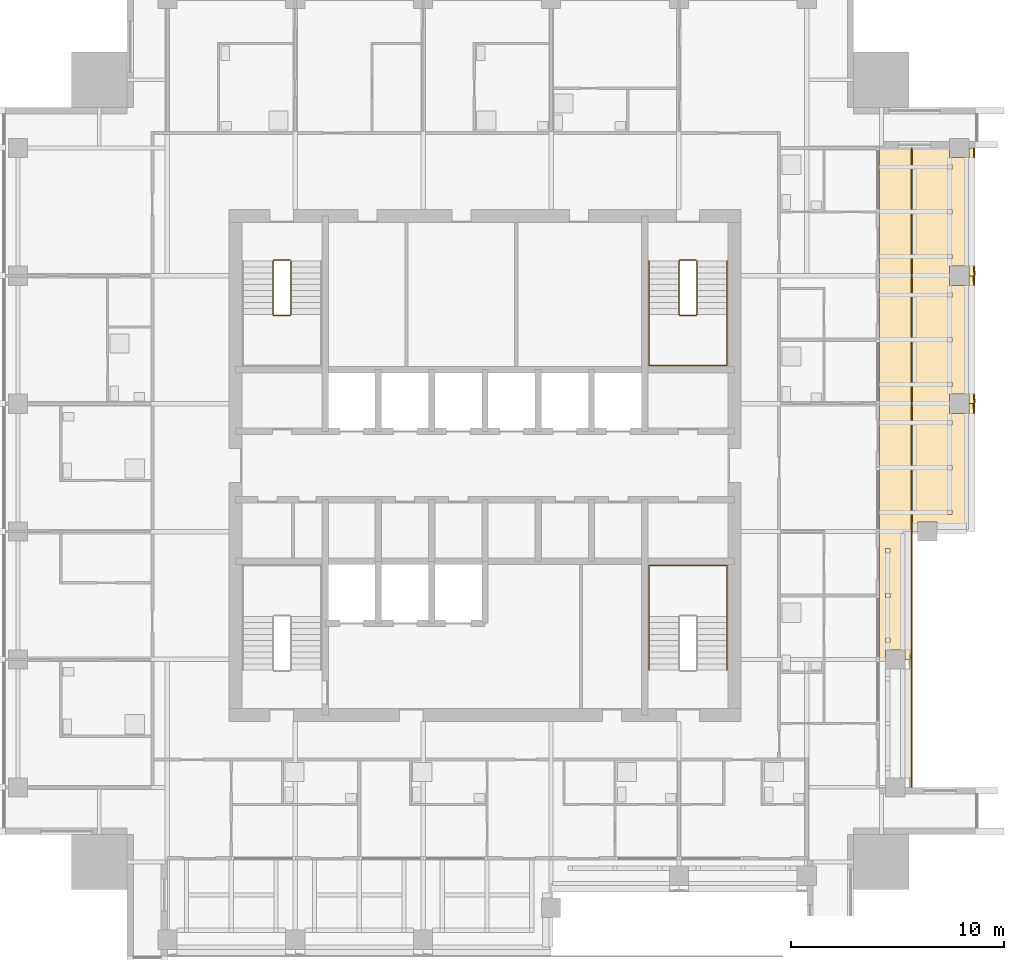
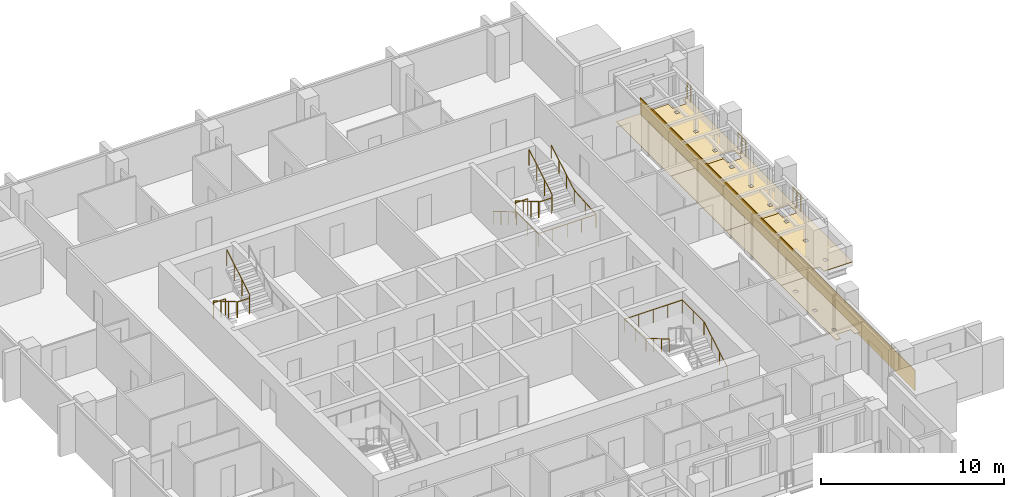
# One storey, part 16 of 17: 9 railings, 5 coverings.
"""IFC4 building model written with IfcOpenShell, lengths in metres."""

import ifcopenshell
import ifcopenshell.guid

model = None  # the IFC model being written
_history = None  # IfcOwnerHistory: only IFC2X3 demands one
_inside = {}  # id of a spatial element -> (the spatial element, [elements in it])
_under = {}  # id of a project, library or spatial element -> (it, [spatial elements below it])
_declared = {}  # id of a project -> (the project, [libraries it declares])
_typed = {}  # id of a type object -> (the type object, [elements of that type])
_made_of = {}  # id of a material, layer set ... -> (it, [elements and type objects made of it])


def new_model(schema):
    """Start an empty IFC model of exactly this schema.

    Asked for "IFC4X3", IfcOpenShell would pick the latest addendum, in which some entities
    have other attributes; the version numbers below select the first issue.
    IFC2X3 requires an IfcOwnerHistory on every rooted entity: one is made here for all.
    """
    global model, _history
    if schema == "IFC4X3":
        model = ifcopenshell.file(schema_version=(4, 3, 0, 0))
    else:
        model = ifcopenshell.file(schema=schema)
    _inside.clear()
    _under.clear()
    _declared.clear()
    _typed.clear()
    _made_of.clear()
    _history = None
    if model.schema == "IFC2X3":
        org = make("IfcOrganization", Name="unknown")
        user = make(
            "IfcPersonAndOrganization",
            ThePerson=make("IfcPerson", FamilyName="unknown"),
            TheOrganization=org,
        )
        app = make(
            "IfcApplication",
            ApplicationDeveloper=org,
            Version="unknown",
            ApplicationFullName="unknown",
            ApplicationIdentifier="unknown",
        )
        _history = make(
            "IfcOwnerHistory",
            OwningUser=user,
            OwningApplication=app,
            ChangeAction="ADDED",
            CreationDate=0,
        )
    return model


def make(cls, **values):
    """One entity of the class cls with the attributes given. An attribute that is None is left unset."""
    return model.create_entity(
        cls, **{name: value for name, value in values.items() if value is not None}
    )


def rooted(cls, **values):
    """An entity with a GlobalId (a new one), such as an element, a storey or a relation."""
    return make(cls, GlobalId=ifcopenshell.guid.new(), OwnerHistory=_history, **values)


def si_unit(unit_type, name, prefix=None):
    """IfcSIUnit, for example si_unit("LENGTHUNIT", "METRE", prefix="MILLI")."""
    return make("IfcSIUnit", UnitType=unit_type, Prefix=prefix, Name=name)


def assignment(units):
    """IfcUnitAssignment: the units of a project."""
    return None if units is None else make("IfcUnitAssignment", Units=units)


def point(xyz):
    """IfcCartesianPoint."""
    return None if xyz is None else make("IfcCartesianPoint", Coordinates=xyz)


def direction(xyz):
    """IfcDirection."""
    return None if xyz is None else make("IfcDirection", DirectionRatios=xyz)


def frame(location, z_axis=None, x_axis=None):
    """IfcAxis2Placement3D, a coordinate frame: its origin and axes. An axis left out is left unset."""
    return make(
        "IfcAxis2Placement3D",
        Location=point(location),
        Axis=direction(z_axis),
        RefDirection=direction(x_axis),
    )


def frame_2d(location, x_axis=None):
    """IfcAxis2Placement2D, a coordinate frame in the plane: its origin and x axis."""
    return make(
        "IfcAxis2Placement2D", Location=point(location), RefDirection=direction(x_axis)
    )


def origin():
    """The frame at (0, 0, 0) with its axes left unset."""
    return frame((0.0, 0.0, 0.0))


def origin_2d():
    """The frame at (0, 0) in the plane with its x axis left unset."""
    return frame_2d((0.0, 0.0))


def place(relative_to, where):
    """IfcLocalPlacement: puts the frame where relative to a parent placement (None: the world)."""
    return make(
        "IfcLocalPlacement", PlacementRelTo=relative_to, RelativePlacement=where
    )


def context(
    kind, dimensions, precision=None, world=None, true_north=None, identifier=None
):
    """IfcGeometricRepresentationContext, for example the 3D "Model" context."""
    return make(
        "IfcGeometricRepresentationContext",
        ContextIdentifier=identifier,
        ContextType=kind,
        CoordinateSpaceDimension=dimensions,
        Precision=precision,
        WorldCoordinateSystem=world,
        TrueNorth=true_north,
    )


def subcontext(parent, identifier, kind, view, scale=None):
    """IfcGeometricRepresentationSubContext, for example "Body" below "Model"."""
    return make(
        "IfcGeometricRepresentationSubContext",
        ContextIdentifier=identifier,
        ContextType=kind,
        ParentContext=parent,
        TargetScale=scale,
        TargetView=view,
    )


def project(units=None, contexts=None):
    """IfcProject with its units and contexts."""
    return rooted(
        "IfcProject",
        Name="project",
        RepresentationContexts=contexts,
        UnitsInContext=assignment(units),
    )


def spatial(cls, under=None, at=None, **own):
    """A site, building, storey or space (cls), placed at a placement, below another one or the project."""
    s = rooted(cls, ObjectPlacement=at, **own)
    if under is not None:
        _under.setdefault(under.id(), (under, []))[1].append(s)
    return s


def polyline(points):
    """IfcPolyline through the points."""
    return make("IfcPolyline", Points=[point(p) for p in points])


def profile(cls, at=None, kind="AREA", **sizes):
    """A parametric profile (cls). Its sizes go by their IFC names, for example OverallWidth=200.0."""
    return make(cls, ProfileType=kind, Position=at, **sizes)


def circle(**sizes):
    """IfcCircleProfileDef."""
    return profile("IfcCircleProfileDef", **sizes)


def outline(outer, holes=None, kind="AREA"):
    """IfcArbitraryClosedProfileDef: a profile drawn as a closed curve; with holes, ...WithVoids."""
    if holes is None:
        return make("IfcArbitraryClosedProfileDef", ProfileType=kind, OuterCurve=outer)
    return make(
        "IfcArbitraryProfileDefWithVoids",
        ProfileType=kind,
        OuterCurve=outer,
        InnerCurves=holes,
    )


def extrude(swept, where, along, depth):
    """IfcExtrudedAreaSolid: the profile swept, set in the frame where, extruded along a direction by depth."""
    return make(
        "IfcExtrudedAreaSolid",
        SweptArea=swept,
        Position=where,
        ExtrudedDirection=direction(along),
        Depth=depth,
    )


def shape(context_of_items, identifier, shape_type, items):
    """IfcShapeRepresentation: the items that make up one representation, for example the "Body"."""
    return make(
        "IfcShapeRepresentation",
        ContextOfItems=context_of_items,
        RepresentationIdentifier=identifier,
        RepresentationType=shape_type,
        Items=items,
    )


def material(Name=None, Category=None):
    """IfcMaterial."""
    return make("IfcMaterial", Name=Name, Category=Category)


def layer(
    of_material, thickness, ventilated=None, Name=None, Category=None, Priority=None
):
    """IfcMaterialLayer: one layer of a wall or slab, of a material (None: an air gap)."""
    return make(
        "IfcMaterialLayer",
        Material=of_material,
        LayerThickness=thickness,
        IsVentilated=ventilated,
        Name=Name,
        Category=Category,
        Priority=Priority,
    )


def layer_set(layers, Name=None):
    """IfcMaterialLayerSet."""
    return make("IfcMaterialLayerSet", MaterialLayers=layers, LayerSetName=Name)


def made_of(thing, what):
    """Note that an element or type object is made of a material, layer set ...; save() writes the relation."""
    if what is not None:
        _made_of.setdefault(what.id(), (what, []))[1].append(thing)
    return thing


def type_object(cls, material=None, **own):
    """A type object (cls), such as IfcWallType, which elements share."""
    return made_of(rooted(cls, **own), material)


def element(
    cls,
    number,
    at=None,
    inside=None,
    cuts=None,
    type_object=None,
    material=None,
    context=None,
    identifier="Body",
    shape_type=None,
    held_by="IfcProductDefinitionShape",
    body=None,
    shapes=None,
    **own,
):
    """One element of the class cls, such as IfcWall. Its Tag is "e" and its number.

    at: its placement. inside: the storey or other place that contains it. cuts: it is an
    opening in that element (IfcRelVoidsElement). A single representation is given by context,
    identifier, shape_type and body (its items); several are given by shapes. held_by: the class
    of the entity that holds the representations. save() writes the other relations.
    """
    e = rooted(cls, Tag="e%d" % number, ObjectPlacement=at, **own)
    if body is not None:
        shapes = [shape(context, identifier, shape_type, body)]
    if shapes is not None:
        e.Representation = make(held_by, Representations=shapes)
    if inside is not None:
        _inside.setdefault(inside.id(), (inside, []))[1].append(e)
    if cuts is not None:
        rooted(
            "IfcRelVoidsElement", RelatingBuildingElement=cuts, RelatedOpeningElement=e
        )
    if type_object is not None:
        _typed.setdefault(type_object.id(), (type_object, []))[1].append(e)
    return made_of(e, material)


def aggregate(whole, parts):
    """IfcRelAggregates: a whole, such as a stair, and the parts it consists of."""
    return rooted("IfcRelAggregates", RelatingObject=whole, RelatedObjects=parts)


def save(model, path):
    """Write the relations noted so far, then the file.

    IfcRelAggregates (storeys below a building ...), IfcRelContainedInSpatialStructure (elements
    in a storey), IfcRelDefinesByType, IfcRelAssociatesMaterial and IfcRelDeclares: one each for
    every whole, place, type object, material and project.
    """
    for whole, parts in _under.values():
        aggregate(whole, parts)
    for where, things in _inside.values():
        rooted(
            "IfcRelContainedInSpatialStructure",
            RelatedElements=things,
            RelatingStructure=where,
        )
    for kind, things in _typed.values():
        rooted("IfcRelDefinesByType", RelatedObjects=things, RelatingType=kind)
    for what, things in _made_of.values():
        rooted("IfcRelAssociatesMaterial", RelatedObjects=things, RelatingMaterial=what)
    for by, libraries in _declared.values():
        rooted("IfcRelDeclares", RelatingContext=by, RelatedDefinitions=libraries)
    model.write(path)


model = new_model("IFC4")

# Units and contexts
model_context = context("Model", 3, precision=1e-05, world=origin(), true_north=direction((0.0, 1.0)))
body_context = subcontext(model_context, "Body", "Model", "MODEL_VIEW")
ifc_project = project(units=[si_unit("LENGTHUNIT", "METRE"), si_unit("AREAUNIT", "SQUARE_METRE"), si_unit("VOLUMEUNIT", "CUBIC_METRE"), si_unit("PLANEANGLEUNIT", "RADIAN"), si_unit("MASSUNIT", "GRAM", prefix="KILO")], contexts=[model_context])

# Site, building, storey
site_placement = place(None, origin())
site = spatial("IfcSite", under=ifc_project, at=site_placement, CompositionType="ELEMENT")
building_placement = place(site_placement, origin())
building = spatial("IfcBuilding", under=site, at=building_placement, Name="Amberfall Residences", CompositionType="ELEMENT")
storey_placement = place(building_placement, frame((0.0, 0.0, 216.699951171875)))
storey = spatial("IfcBuildingStorey", under=building, at=storey_placement, Name="L58", CompositionType="ELEMENT", Elevation=216.699951171875)

# Coverings
ifc_material_1 = material(Name="Pale limestone cladding", Category="masonry")
ifc_layer_1 = layer(ifc_material_1, 0.050048828125)
ifc_layer_set_1 = layer_set([ifc_layer_1], Name="Limestone fascia 50")
covering_type_1 = type_object("IfcCoveringType", Name="Limestone fascia 50", PredefinedType="CLADDING", material=ifc_layer_set_1)
covering_1_placement = place(storey_placement, frame((0.0, 0.0, -0.25)))
element("IfcCovering", 1, at=covering_1_placement, inside=storey, type_object=covering_type_1, Name="Limestone terrace fascia L58 E1", PredefinedType="CLADDING", context=body_context, shape_type="SweptSolid", body=[
    extrude(outline(polyline([(94.5, 30.39990234375), (94.5, 60.39990234375), (94.550048828125, 60.39990234375), (94.550048828125, 30.39990234375), (94.5, 30.39990234375)])), origin(), (0.0, 0.0, 1.0), 1.35009765625),
])
ifc_material_2 = material(Name="Pale stone paving", Category="masonry")
ifc_layer_2 = layer(ifc_material_2, 0.030029296875)
ifc_layer_set_2 = layer_set([ifc_layer_2], Name="Pale stone paving 30")
covering_type_2 = type_object("IfcCoveringType", Name="Pale stone paving 30", PredefinedType="FLOORING", material=ifc_layer_set_2)
covering_2_placement = place(storey_placement, origin())
element("IfcCovering", 2, at=covering_2_placement, inside=storey, type_object=covering_type_2, Name="Pale stone paving L58 E2", PredefinedType="FLOORING", context=body_context, shape_type="SweptSolid", body=[
    extrude(outline(polyline([(93.0, 42.39990234375), (93.0, 36.39990234375), (93.300048828125, 36.39990234375), (93.300048828125, 36.85009765625), (94.199951171875, 36.85009765625), (94.199951171875, 36.39990234375), (94.5, 36.39990234375), (94.5, 42.39990234375), (93.0, 42.39990234375)]), holes=[polyline([(93.2900390625, 37.18994140625), (93.510009765625, 37.18994140625), (93.510009765625, 37.409912109375), (93.2900390625, 37.409912109375), (93.2900390625, 37.18994140625)]), polyline([(93.2900390625, 39.2900390625), (93.510009765625, 39.2900390625), (93.510009765625, 39.510009765625), (93.2900390625, 39.510009765625), (93.2900390625, 39.2900390625)]), polyline([(93.2900390625, 41.389892578125), (93.510009765625, 41.389892578125), (93.510009765625, 41.610107421875), (93.2900390625, 41.610107421875), (93.2900390625, 41.389892578125)])]), origin(), (0.0, 0.0, 1.0), 0.030029296875),
])
covering_3_placement = place(storey_placement, origin())
element("IfcCovering", 3, at=covering_3_placement, inside=storey, type_object=covering_type_2, Name="Pale stone paving L58 E3", PredefinedType="FLOORING", context=body_context, shape_type="SweptSolid", body=[
    extrude(outline(polyline([(97.5, 48.39990234375), (97.199951171875, 48.39990234375), (97.199951171875, 47.949951171875), (96.300048828125, 47.949951171875), (96.300048828125, 48.39990234375), (93.0, 48.39990234375), (93.0, 42.39990234375), (94.800048828125, 42.39990234375), (94.800048828125, 42.85009765625), (95.699951171875, 42.85009765625), (95.699951171875, 42.39990234375), (97.5, 42.39990234375), (97.5, 48.39990234375)]), holes=[polyline([(96.18994140625, 43.18994140625), (96.409912109375, 43.18994140625), (96.409912109375, 43.409912109375), (96.18994140625, 43.409912109375), (96.18994140625, 43.18994140625)]), polyline([(96.18994140625, 45.2900390625), (96.409912109375, 45.2900390625), (96.409912109375, 45.510009765625), (96.18994140625, 45.510009765625), (96.18994140625, 45.2900390625)]), polyline([(96.18994140625, 47.389892578125), (96.409912109375, 47.389892578125), (96.409912109375, 47.610107421875), (96.18994140625, 47.610107421875), (96.18994140625, 47.389892578125)])]), origin(), (0.0, 0.0, 1.0), 0.030029296875),
])
covering_4_placement = place(storey_placement, origin())
element("IfcCovering", 4, at=covering_4_placement, inside=storey, type_object=covering_type_2, Name="Pale stone paving L58 E4", PredefinedType="FLOORING", context=body_context, shape_type="SweptSolid", body=[
    extrude(outline(polyline([(97.5, 54.39990234375), (97.199951171875, 54.39990234375), (97.199951171875, 53.949951171875), (96.300048828125, 53.949951171875), (96.300048828125, 54.39990234375), (93.0, 54.39990234375), (93.0, 48.39990234375), (96.300048828125, 48.39990234375), (96.300048828125, 48.85009765625), (97.199951171875, 48.85009765625), (97.199951171875, 48.39990234375), (97.5, 48.39990234375), (97.5, 54.39990234375)]), holes=[polyline([(96.18994140625, 49.18994140625), (96.409912109375, 49.18994140625), (96.409912109375, 49.409912109375), (96.18994140625, 49.409912109375), (96.18994140625, 49.18994140625)]), polyline([(96.18994140625, 51.2900390625), (96.409912109375, 51.2900390625), (96.409912109375, 51.510009765625), (96.18994140625, 51.510009765625), (96.18994140625, 51.2900390625)]), polyline([(96.18994140625, 53.389892578125), (96.409912109375, 53.389892578125), (96.409912109375, 53.610107421875), (96.18994140625, 53.610107421875), (96.18994140625, 53.389892578125)])]), origin(), (0.0, 0.0, 1.0), 0.030029296875),
])
covering_5_placement = place(storey_placement, origin())
element("IfcCovering", 5, at=covering_5_placement, inside=storey, type_object=covering_type_2, Name="Pale stone paving L58 E5", PredefinedType="FLOORING", context=body_context, shape_type="SweptSolid", body=[
    extrude(outline(polyline([(97.5, 60.39990234375), (97.199951171875, 60.39990234375), (97.199951171875, 59.949951171875), (96.300048828125, 59.949951171875), (96.300048828125, 60.39990234375), (93.0, 60.39990234375), (93.0, 54.39990234375), (96.300048828125, 54.39990234375), (96.300048828125, 54.85009765625), (97.199951171875, 54.85009765625), (97.199951171875, 54.39990234375), (97.5, 54.39990234375), (97.5, 60.39990234375)]), holes=[polyline([(96.18994140625, 55.18994140625), (96.409912109375, 55.18994140625), (96.409912109375, 55.409912109375), (96.18994140625, 55.409912109375), (96.18994140625, 55.18994140625)]), polyline([(96.18994140625, 57.2900390625), (96.409912109375, 57.2900390625), (96.409912109375, 57.510009765625), (96.18994140625, 57.510009765625), (96.18994140625, 57.2900390625)]), polyline([(96.18994140625, 59.389892578125), (96.409912109375, 59.389892578125), (96.409912109375, 59.610107421875), (96.18994140625, 59.610107421875), (96.18994140625, 59.389892578125)])]), origin(), (0.0, 0.0, 1.0), 0.030029296875),
])

# Railings
ifc_material_3 = material(Name="Stainless steel 316", Category="steel")
railing_type_1 = type_object("IfcRailingType", Name="Stair guard 1100", PredefinedType="GUARDRAIL", material=ifc_material_3)
railing_1_placement = place(storey_placement, frame((84.39990234375, 55.14990234375, 0.0)))
element("IfcRailing", 6, at=railing_1_placement, inside=storey, type_object=railing_type_1, Name="L58 stair 3 guard", PredefinedType="GUARDRAIL", context=body_context, shape_type="SweptSolid", body=[
    extrude(circle(Radius=0.02392578125, at=origin_2d()), frame((0.0, 0.0, 1.076171875), z_axis=(-1.0, 0.0, 0.0), x_axis=(0.0, -1.0, 0.0)), (0.0, 0.0, 1.0), 0.75),
    extrude(circle(Radius=0.02392578125, at=origin_2d()), frame((-0.75, 0.0, 1.076171875), z_axis=(-0.27755538755, -0.27755538755, 0.919742362667), x_axis=(0.707106781187, -0.707106781187, 0.0)), (0.0, 0.0, 1.0), 0.179443359375),
    extrude(circle(Radius=0.02392578125, at=origin_2d()), frame((-0.7998046875, -0.0498046875, 1.2412109375), z_axis=(0.0, -0.86152411907, 0.507716645641), x_axis=(1.0, 0.0, 0.0)), (0.0, 0.0, 1.0), 2.925048828125),
    extrude(circle(Radius=0.02392578125, at=origin_2d()), frame((-0.7998046875, -2.56982421875, 2.72607421875), z_axis=(0.705375805398, -0.708833529934, 0.0), x_axis=(0.708833529934, 0.705375805398, 0.0)), (0.0, 0.0, 1.0), 0.070556640625),
    extrude(circle(Radius=0.02392578125, at=origin_2d()), frame((-0.75, -2.619873046875, 2.72607421875), z_axis=(1.0, 0.0, 0.0), x_axis=(0.0, 1.0, 0.0)), (0.0, 0.0, 1.0), 0.75),
    extrude(circle(Radius=0.02392578125, at=origin_2d()), frame((0.0, -2.619873046875, 2.72607421875), z_axis=(0.279053652268, 0.279053652268, 0.918835196492), x_axis=(-0.707106781187, 0.707106781187, 0.0)), (0.0, 0.0, 1.0), 0.179443359375),
    extrude(circle(Radius=0.02392578125, at=origin_2d()), frame((0.050048828125, -2.56982421875, 2.89111328125), z_axis=(0.0, 0.86152411907, 0.507716645641), x_axis=(-1.0, 0.0, 0.0)), (0.0, 0.0, 1.0), 2.925048828125),
    extrude(circle(Radius=0.02099609375, at=origin_2d()), origin(), (0.0, 0.0, 1.0), 1.052001953125),
    extrude(circle(Radius=0.02099609375, at=origin_2d()), frame((-0.75, 0.0, 0.0)), (0.0, 0.0, 1.0), 1.052001953125),
    extrude(circle(Radius=0.02099609375, at=origin_2d()), frame((-0.7998046875, -0.0498046875, 0.1650390625)), (0.0, 0.0, 1.0), 1.052001953125),
    extrude(circle(Radius=0.02099609375, at=origin_2d()), frame((-0.7998046875, -0.889892578125, 0.66015625)), (0.0, 0.0, 1.0), 1.052001953125),
    extrude(circle(Radius=0.02099609375, at=origin_2d()), frame((-0.7998046875, -1.729736328125, 1.155029296875)), (0.0, 0.0, 1.0), 1.052001953125),
    extrude(circle(Radius=0.02099609375, at=origin_2d()), frame((-0.7998046875, -2.56982421875, 1.650146484375)), (0.0, 0.0, 1.0), 1.052001953125),
    extrude(circle(Radius=0.02099609375, at=origin_2d()), frame((-0.75, -2.619873046875, 1.650146484375)), (0.0, 0.0, 1.0), 1.052001953125),
    extrude(circle(Radius=0.02099609375, at=origin_2d()), frame((0.0, -2.619873046875, 1.650146484375)), (0.0, 0.0, 1.0), 1.052001953125),
    extrude(circle(Radius=0.02099609375, at=origin_2d()), frame((0.050048828125, -2.56982421875, 1.81494140625)), (0.0, 0.0, 1.0), 1.052001953125),
    extrude(circle(Radius=0.02099609375, at=origin_2d()), frame((0.050048828125, -1.729736328125, 2.31005859375)), (0.0, 0.0, 1.0), 1.052001953125),
    extrude(circle(Radius=0.02099609375, at=origin_2d()), frame((0.050048828125, -0.889892578125, 2.804931640625)), (0.0, 0.0, 1.0), 1.052001953125),
    extrude(circle(Radius=0.02099609375, at=origin_2d()), frame((0.050048828125, -0.0498046875, 3.300048828125)), (0.0, 0.0, 1.0), 1.052001953125),
])
railing_2_placement = place(storey_placement, frame((65.35009765625, 55.14990234375, 0.0)))
element("IfcRailing", 7, at=railing_2_placement, inside=storey, type_object=railing_type_1, Name="L58 stair 4 guard", PredefinedType="GUARDRAIL", context=body_context, shape_type="SweptSolid", body=[
    extrude(circle(Radius=0.02392578125, at=origin_2d()), frame((0.0, 0.0, 1.076171875), z_axis=(-1.0, 0.0, 0.0), x_axis=(0.0, -1.0, 0.0)), (0.0, 0.0, 1.0), 0.75),
    extrude(circle(Radius=0.02392578125, at=origin_2d()), frame((-0.75, 0.0, 1.076171875), z_axis=(-0.278810427259, -0.277450376394, 0.919394384522), x_axis=(0.705375805398, -0.708833529934, 0.0)), (0.0, 0.0, 1.0), 0.179443359375),
    extrude(circle(Radius=0.02392578125, at=origin_2d()), frame((-0.800048828125, -0.0498046875, 1.2412109375), z_axis=(0.0, -0.86152411907, 0.507716645641), x_axis=(1.0, 0.0, 0.0)), (0.0, 0.0, 1.0), 2.925048828125),
    extrude(circle(Radius=0.02392578125, at=origin_2d()), frame((-0.800048828125, -2.56982421875, 2.72607421875), z_axis=(0.707106781187, -0.707106781187, 0.0), x_axis=(0.707106781187, 0.707106781187, 0.0)), (0.0, 0.0, 1.0), 0.07080078125),
    extrude(circle(Radius=0.02392578125, at=origin_2d()), frame((-0.75, -2.619873046875, 2.72607421875), z_axis=(1.0, 0.0, 0.0), x_axis=(0.0, 1.0, 0.0)), (0.0, 0.0, 1.0), 0.75),
    extrude(circle(Radius=0.02392578125, at=origin_2d()), frame((0.0, -2.619873046875, 2.72607421875), z_axis=(0.277797701265, 0.279159454702, 0.919183570361), x_axis=(-0.708833529934, 0.705375805398, 0.0)), (0.0, 0.0, 1.0), 0.17919921875),
    extrude(circle(Radius=0.02392578125, at=origin_2d()), frame((0.0498046875, -2.56982421875, 2.89111328125), z_axis=(0.0, 0.86152411907, 0.507716645641), x_axis=(-1.0, 0.0, 0.0)), (0.0, 0.0, 1.0), 2.925048828125),
    extrude(circle(Radius=0.02099609375, at=origin_2d()), origin(), (0.0, 0.0, 1.0), 1.052001953125),
    extrude(circle(Radius=0.02099609375, at=origin_2d()), frame((-0.75, 0.0, 0.0)), (0.0, 0.0, 1.0), 1.052001953125),
    extrude(circle(Radius=0.02099609375, at=origin_2d()), frame((-0.800048828125, -0.0498046875, 0.1650390625)), (0.0, 0.0, 1.0), 1.052001953125),
    extrude(circle(Radius=0.02099609375, at=origin_2d()), frame((-0.800048828125, -0.889892578125, 0.66015625)), (0.0, 0.0, 1.0), 1.052001953125),
    extrude(circle(Radius=0.02099609375, at=origin_2d()), frame((-0.800048828125, -1.729736328125, 1.155029296875)), (0.0, 0.0, 1.0), 1.052001953125),
    extrude(circle(Radius=0.02099609375, at=origin_2d()), frame((-0.800048828125, -2.56982421875, 1.650146484375)), (0.0, 0.0, 1.0), 1.052001953125),
    extrude(circle(Radius=0.02099609375, at=origin_2d()), frame((-0.75, -2.619873046875, 1.650146484375)), (0.0, 0.0, 1.0), 1.052001953125),
    extrude(circle(Radius=0.02099609375, at=origin_2d()), frame((0.0, -2.619873046875, 1.650146484375)), (0.0, 0.0, 1.0), 1.052001953125),
    extrude(circle(Radius=0.02099609375, at=origin_2d()), frame((0.0498046875, -2.56982421875, 1.81494140625)), (0.0, 0.0, 1.0), 1.052001953125),
    extrude(circle(Radius=0.02099609375, at=origin_2d()), frame((0.0498046875, -1.729736328125, 2.31005859375)), (0.0, 0.0, 1.0), 1.052001953125),
    extrude(circle(Radius=0.02099609375, at=origin_2d()), frame((0.0498046875, -0.889892578125, 2.804931640625)), (0.0, 0.0, 1.0), 1.052001953125),
    extrude(circle(Radius=0.02099609375, at=origin_2d()), frame((0.0498046875, -0.0498046875, 3.300048828125)), (0.0, 0.0, 1.0), 1.052001953125),
])
railing_type_2 = type_object("IfcRailingType", Name="Stair handrail 900", PredefinedType="HANDRAIL", material=ifc_material_3)
railing_3_placement = place(storey_placement, frame((85.85009765625, 35.89990234375, 0.1650390625)))
element("IfcRailing", 8, at=railing_3_placement, inside=storey, type_object=railing_type_2, Name="L58 stair 2 handrail", PredefinedType="HANDRAIL", context=body_context, shape_type="SweptSolid", body=[
    extrude(circle(Radius=0.02392578125, at=origin_2d()), frame((0.0, 0.0, 0.8759765625), z_axis=(0.0, 0.86152411907, 0.507716645641), x_axis=(-1.0, 0.0, 0.0)), (0.0, 0.0, 1.0), 2.925048828125),
    extrude(circle(Radius=0.02392578125, at=origin_2d()), frame((0.0, 2.52001953125, 2.36083984375), z_axis=(0.0, 1.0, 0.0), x_axis=(-1.0, 0.0, 0.0)), (0.0, 0.0, 1.0), 2.380126953125),
    extrude(circle(Radius=0.02392578125, at=origin_2d()), frame((0.0, 4.900146484375, 2.36083984375), z_axis=(-1.0, 0.0, 0.0), x_axis=(0.0, -1.0, 0.0)), (0.0, 0.0, 1.0), 3.650146484375),
    extrude(circle(Radius=0.02392578125, at=origin_2d()), frame((-3.650146484375, 4.900146484375, 2.36083984375), z_axis=(0.0, -0.997611642348, 0.069072505753), x_axis=(1.0, 0.0, 0.0)), (0.0, 0.0, 1.0), 2.3857421875),
    extrude(circle(Radius=0.02392578125, at=origin_2d()), frame((-3.650146484375, 2.52001953125, 2.52587890625), z_axis=(0.0, -0.86152411907, 0.507716645641), x_axis=(1.0, 0.0, 0.0)), (0.0, 0.0, 1.0), 2.925048828125),
    extrude(circle(Radius=0.02099609375, at=origin_2d()), origin(), (0.0, 0.0, 1.0), 0.851806640625),
    extrude(circle(Radius=0.02099609375, at=origin_2d()), frame((0.0, 0.840087890625, 0.4951171875)), (0.0, 0.0, 1.0), 0.851806640625),
    extrude(circle(Radius=0.02099609375, at=origin_2d()), frame((0.0, 1.679931640625, 0.989990234375)), (0.0, 0.0, 1.0), 0.851806640625),
    extrude(circle(Radius=0.02099609375, at=origin_2d()), frame((0.0, 2.52001953125, 1.485107421875)), (0.0, 0.0, 1.0), 0.851806640625),
    extrude(circle(Radius=0.02099609375, at=origin_2d()), frame((0.0, 3.7099609375, 1.485107421875)), (0.0, 0.0, 1.0), 0.851806640625),
    extrude(circle(Radius=0.02099609375, at=origin_2d()), frame((0.0, 4.900146484375, 1.485107421875)), (0.0, 0.0, 1.0), 0.851806640625),
    extrude(circle(Radius=0.02099609375, at=origin_2d()), frame((-0.91259765625, 4.900146484375, 1.485107421875)), (0.0, 0.0, 1.0), 0.851806640625),
    extrude(circle(Radius=0.02099609375, at=origin_2d()), frame((-1.8251953125, 4.900146484375, 1.485107421875)), (0.0, 0.0, 1.0), 0.851806640625),
    extrude(circle(Radius=0.02099609375, at=origin_2d()), frame((-2.737548828125, 4.900146484375, 1.485107421875)), (0.0, 0.0, 1.0), 0.851806640625),
    extrude(circle(Radius=0.02099609375, at=origin_2d()), frame((-3.650146484375, 4.900146484375, 1.485107421875)), (0.0, 0.0, 1.0), 0.851806640625),
    extrude(circle(Radius=0.02099609375, at=origin_2d()), frame((-3.650146484375, 3.7099609375, 1.5673828125)), (0.0, 0.0, 1.0), 0.851806640625),
    extrude(circle(Radius=0.02099609375, at=origin_2d()), frame((-3.650146484375, 2.52001953125, 1.64990234375)), (0.0, 0.0, 1.0), 0.851806640625),
    extrude(circle(Radius=0.02099609375, at=origin_2d()), frame((-3.650146484375, 1.679931640625, 2.14501953125)), (0.0, 0.0, 1.0), 0.851806640625),
    extrude(circle(Radius=0.02099609375, at=origin_2d()), frame((-3.650146484375, 0.840087890625, 2.639892578125)), (0.0, 0.0, 1.0), 0.851806640625),
    extrude(circle(Radius=0.02099609375, at=origin_2d()), frame((-3.650146484375, 0.0, 3.135009765625)), (0.0, 0.0, 1.0), 0.851806640625),
])
railing_4_placement = place(storey_placement, frame((82.199951171875, 55.10009765625, 0.1650390625)))
element("IfcRailing", 9, at=railing_4_placement, inside=storey, type_object=railing_type_2, Name="L58 stair 3 handrail", PredefinedType="HANDRAIL", context=body_context, shape_type="SweptSolid", body=[
    extrude(circle(Radius=0.02392578125, at=origin_2d()), frame((0.0, 0.0, 0.8759765625), z_axis=(0.0, -0.86152411907, 0.507716645641), x_axis=(1.0, 0.0, 0.0)), (0.0, 0.0, 1.0), 2.925048828125),
    extrude(circle(Radius=0.02392578125, at=origin_2d()), frame((0.0, -2.52001953125, 2.36083984375), z_axis=(0.0, -1.0, 0.0), x_axis=(1.0, 0.0, 0.0)), (0.0, 0.0, 1.0), 2.380126953125),
    extrude(circle(Radius=0.02392578125, at=origin_2d()), frame((0.0, -4.900146484375, 2.36083984375), z_axis=(1.0, 0.0, 0.0), x_axis=(0.0, 1.0, 0.0)), (0.0, 0.0, 1.0), 3.650146484375),
    extrude(circle(Radius=0.02392578125, at=origin_2d()), frame((3.650146484375, -4.900146484375, 2.36083984375), z_axis=(0.0, 0.997611642348, 0.069072505753), x_axis=(-1.0, 0.0, 0.0)), (0.0, 0.0, 1.0), 2.3857421875),
    extrude(circle(Radius=0.02392578125, at=origin_2d()), frame((3.650146484375, -2.52001953125, 2.52587890625), z_axis=(0.0, 0.86152411907, 0.507716645641), x_axis=(-1.0, 0.0, 0.0)), (0.0, 0.0, 1.0), 2.925048828125),
    extrude(circle(Radius=0.02099609375, at=origin_2d()), origin(), (0.0, 0.0, 1.0), 0.851806640625),
    extrude(circle(Radius=0.02099609375, at=origin_2d()), frame((0.0, -0.840087890625, 0.4951171875)), (0.0, 0.0, 1.0), 0.851806640625),
    extrude(circle(Radius=0.02099609375, at=origin_2d()), frame((0.0, -1.679931640625, 0.989990234375)), (0.0, 0.0, 1.0), 0.851806640625),
    extrude(circle(Radius=0.02099609375, at=origin_2d()), frame((0.0, -2.52001953125, 1.485107421875)), (0.0, 0.0, 1.0), 0.851806640625),
    extrude(circle(Radius=0.02099609375, at=origin_2d()), frame((0.0, -3.7099609375, 1.485107421875)), (0.0, 0.0, 1.0), 0.851806640625),
    extrude(circle(Radius=0.02099609375, at=origin_2d()), frame((0.0, -4.900146484375, 1.485107421875)), (0.0, 0.0, 1.0), 0.851806640625),
    extrude(circle(Radius=0.02099609375, at=origin_2d()), frame((0.91259765625, -4.900146484375, 1.485107421875)), (0.0, 0.0, 1.0), 0.851806640625),
    extrude(circle(Radius=0.02099609375, at=origin_2d()), frame((1.8251953125, -4.900146484375, 1.485107421875)), (0.0, 0.0, 1.0), 0.851806640625),
    extrude(circle(Radius=0.02099609375, at=origin_2d()), frame((2.737548828125, -4.900146484375, 1.485107421875)), (0.0, 0.0, 1.0), 0.851806640625),
    extrude(circle(Radius=0.02099609375, at=origin_2d()), frame((3.650146484375, -4.900146484375, 1.485107421875)), (0.0, 0.0, 1.0), 0.851806640625),
    extrude(circle(Radius=0.02099609375, at=origin_2d()), frame((3.650146484375, -3.7099609375, 1.5673828125)), (0.0, 0.0, 1.0), 0.851806640625),
    extrude(circle(Radius=0.02099609375, at=origin_2d()), frame((3.650146484375, -2.52001953125, 1.64990234375)), (0.0, 0.0, 1.0), 0.851806640625),
    extrude(circle(Radius=0.02099609375, at=origin_2d()), frame((3.650146484375, -1.679931640625, 2.14501953125)), (0.0, 0.0, 1.0), 0.851806640625),
    extrude(circle(Radius=0.02099609375, at=origin_2d()), frame((3.650146484375, -0.840087890625, 2.639892578125)), (0.0, 0.0, 1.0), 0.851806640625),
    extrude(circle(Radius=0.02099609375, at=origin_2d()), frame((3.650146484375, 0.0, 3.135009765625)), (0.0, 0.0, 1.0), 0.851806640625),
])
ifc_material_4 = material(Name="Bronze anodised aluminium and laminated glass", Category="aluminium")
railing_type_3 = type_object("IfcRailingType", Name="Terrace edge guard 1100", PredefinedType="GUARDRAIL", material=ifc_material_4)
railing_5_placement = place(storey_placement, frame((97.4599609375, 47.969970703125, 0.030029296875)))
element("IfcRailing", 10, at=railing_5_placement, inside=storey, type_object=railing_type_3, Name="Terrace guard L58 E3", PredefinedType="GUARDRAIL", context=body_context, shape_type="SweptSolid", body=[
    extrude(circle(Radius=0.02392578125, at=origin_2d()), frame((0.0, 0.0, 1.076171875), z_axis=(-0.102092048083, 0.994774956318, 0.0), x_axis=(-0.994774956318, -0.102092048083, 0.0)), (0.0, 0.0, 1.0), 0.39208984375),
    extrude(circle(Radius=0.02099609375, at=origin_2d()), origin(), (0.0, 0.0, 1.0), 1.052001953125),
    extrude(circle(Radius=0.02099609375, at=origin_2d()), frame((-0.0400390625, 0.39013671875, 0.0)), (0.0, 0.0, 1.0), 1.052001953125),
])
railing_6_placement = place(storey_placement, frame((97.469970703125, 48.43994140625, 0.030029296875)))
element("IfcRailing", 11, at=railing_6_placement, inside=storey, type_object=railing_type_3, Name="Terrace guard L58 E4", PredefinedType="GUARDRAIL", context=body_context, shape_type="SweptSolid", body=[
    extrude(circle(Radius=0.02392578125, at=origin_2d()), frame((0.0, 0.0, 1.076171875), z_axis=(-0.02564863067, 0.999671019758, 0.0), x_axis=(-0.999671019758, -0.02564863067, 0.0)), (0.0, 0.0, 1.0), 0.390380859375),
    extrude(circle(Radius=0.02099609375, at=origin_2d()), origin(), (0.0, 0.0, 1.0), 1.052001953125),
    extrude(circle(Radius=0.02099609375, at=origin_2d()), frame((-0.010009765625, 0.39013671875, 0.0)), (0.0, 0.0, 1.0), 1.052001953125),
])
railing_7_placement = place(storey_placement, frame((97.4599609375, 53.969970703125, 0.030029296875)))
element("IfcRailing", 12, at=railing_7_placement, inside=storey, type_object=railing_type_3, Name="Terrace guard L58 E4", PredefinedType="GUARDRAIL", context=body_context, shape_type="SweptSolid", body=[
    extrude(circle(Radius=0.02392578125, at=origin_2d()), frame((0.0, 0.0, 1.076171875), z_axis=(-0.102092048083, 0.994774956318, 0.0), x_axis=(-0.994774956318, -0.102092048083, 0.0)), (0.0, 0.0, 1.0), 0.39208984375),
    extrude(circle(Radius=0.02099609375, at=origin_2d()), origin(), (0.0, 0.0, 1.0), 1.052001953125),
    extrude(circle(Radius=0.02099609375, at=origin_2d()), frame((-0.0400390625, 0.39013671875, 0.0)), (0.0, 0.0, 1.0), 1.052001953125),
])
railing_8_placement = place(storey_placement, frame((97.469970703125, 54.43994140625, 0.030029296875)))
element("IfcRailing", 13, at=railing_8_placement, inside=storey, type_object=railing_type_3, Name="Terrace guard L58 E5", PredefinedType="GUARDRAIL", context=body_context, shape_type="SweptSolid", body=[
    extrude(circle(Radius=0.02392578125, at=origin_2d()), frame((0.0, 0.0, 1.076171875), z_axis=(-0.02564863067, 0.999671019758, 0.0), x_axis=(-0.999671019758, -0.02564863067, 0.0)), (0.0, 0.0, 1.0), 0.390380859375),
    extrude(circle(Radius=0.02099609375, at=origin_2d()), origin(), (0.0, 0.0, 1.0), 1.052001953125),
    extrude(circle(Radius=0.02099609375, at=origin_2d()), frame((-0.010009765625, 0.39013671875, 0.0)), (0.0, 0.0, 1.0), 1.052001953125),
])
railing_9_placement = place(storey_placement, frame((97.4599609375, 59.969970703125, 0.030029296875)))
element("IfcRailing", 14, at=railing_9_placement, inside=storey, type_object=railing_type_3, Name="Terrace guard L58 E5", PredefinedType="GUARDRAIL", context=body_context, shape_type="SweptSolid", body=[
    extrude(circle(Radius=0.02392578125, at=origin_2d()), frame((0.0, 0.0, 1.076171875), z_axis=(0.008049274831, 0.999967604063, 0.0), x_axis=(-0.999967604063, 0.008049274831, 0.0)), (0.0, 0.0, 1.0), 0.394287109375),
    extrude(circle(Radius=0.02099609375, at=origin_2d()), origin(), (0.0, 0.0, 1.0), 1.052001953125),
    extrude(circle(Radius=0.02099609375, at=origin_2d()), frame((0.003173828125, 0.394287109375, 0.0)), (0.0, 0.0, 1.0), 1.052001953125),
])

save(model, "model.ifc")
